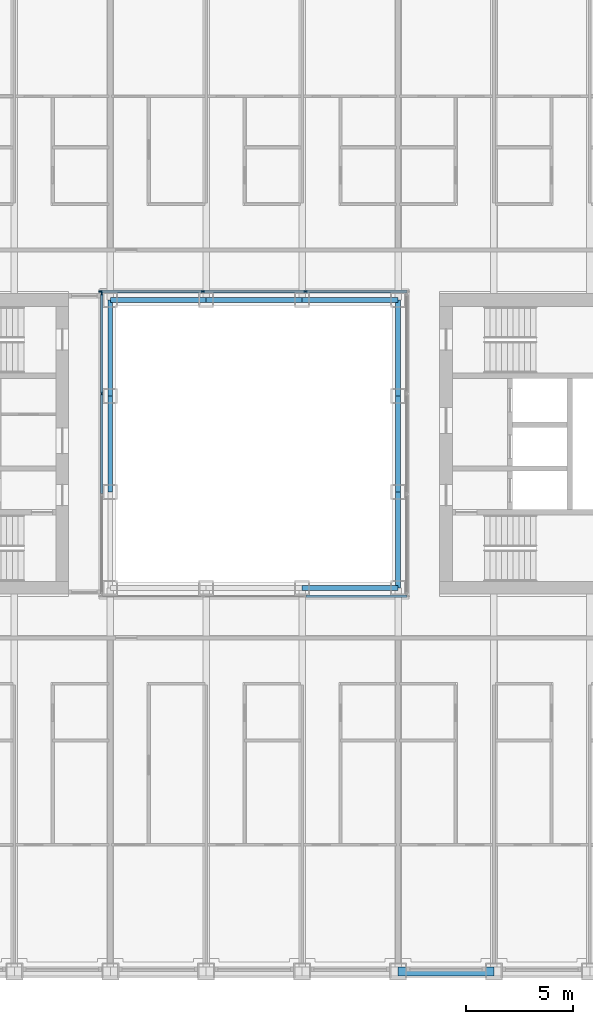
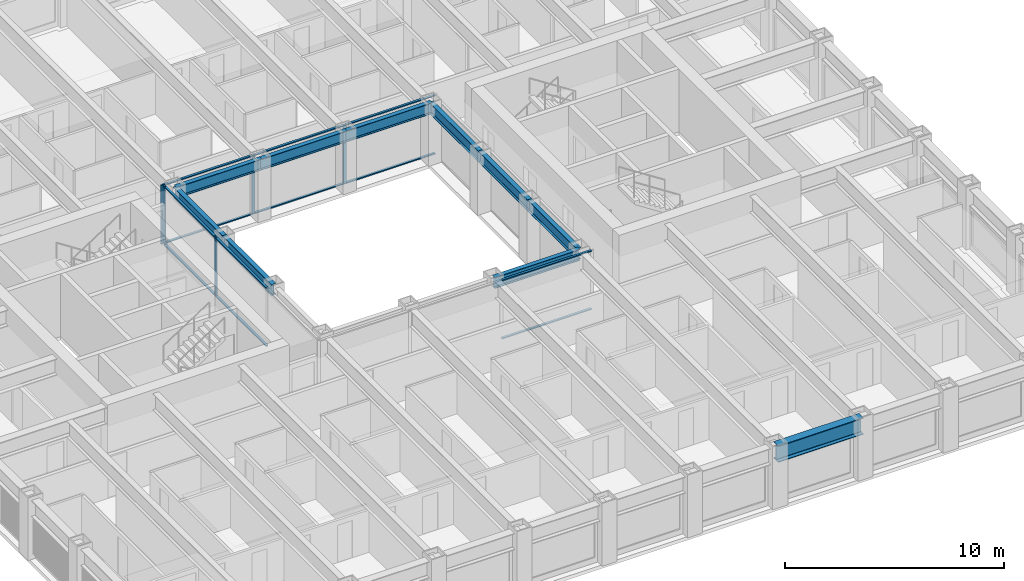
# One storey, part 4 of 21: 17 members, 10 beams, 3 elements without a shape of their own.
"""IFC4 building model written with IfcOpenShell, lengths in metres."""

from ifc_helpers import new_model, si_unit, direction, frame, origin, origin_2d, place, context, subcontext, project, spatial, rectangle, i_section, extrude, material, material_profile, profile_set, type_object, element, aggregate, save


model = new_model("IFC4")

# Units and contexts
model_context = context("Model", 3, precision=1e-05, world=origin(), true_north=direction((0.0, 1.0)))
body_context = subcontext(model_context, "Body", "Model", "MODEL_VIEW")
ifc_project = project(units=[si_unit("LENGTHUNIT", "METRE"), si_unit("AREAUNIT", "SQUARE_METRE"), si_unit("VOLUMEUNIT", "CUBIC_METRE"), si_unit("PLANEANGLEUNIT", "RADIAN"), si_unit("MASSUNIT", "GRAM", prefix="KILO")], contexts=[model_context])

# Site, building, storey
site_placement = place(None, origin())
site = spatial("IfcSite", under=ifc_project, at=site_placement, CompositionType="ELEMENT")
building_placement = place(site_placement, origin())
building = spatial("IfcBuilding", under=site, at=building_placement, Name="Msasa Ring Tower", CompositionType="ELEMENT")
storey_placement = place(building_placement, frame((0.0, 0.0, 89.5)))
storey = spatial("IfcBuildingStorey", under=building, at=storey_placement, Name="L23", CompositionType="ELEMENT", Elevation=89.5)

# Curtain wall, members
ifc_material_1 = material(Name="Aluminium curtain wall with clear glass", Category="aluminium")
curtain_wall_type = type_object("IfcCurtainWallType", Name="CW-W LIGHT WELL CURTAIN WALL", PredefinedType="NOTDEFINED", material=ifc_material_1)
curtain_wall_1_placement = place(storey_placement, origin())
curtain_wall_1 = element("IfcCurtainWall", 1, at=curtain_wall_1_placement, inside=storey, type_object=curtain_wall_type, Name="Light well curtain wall N L23", PredefinedType="NOTDEFINED")
ifc_material_2 = material(Name="Aluminium mullion", Category="aluminium")
ifc_material_profile_1 = material_profile(ifc_material_2, rectangle(XDim=0.06005859375, YDim=0.159912109375, at=origin_2d()), Name="AL 60x160")
ifc_profile_set_1 = profile_set([ifc_material_profile_1], Name="Aluminium mullion")
member_type_1 = type_object("IfcMemberType", Name="CW-W MULLION 60x160", PredefinedType="MULLION", material=ifc_profile_set_1)
member_1_placement = place(storey_placement, frame((-7.199951171875, 7.14990234375, 0.0), z_axis=(0.0, 0.0, 1.0), x_axis=(0.0, 1.0, 0.0)))
member_1 = element("IfcMember", 2, at=member_1_placement, type_object=member_type_1, Name="CW-W mullion 1", PredefinedType="MULLION", context=body_context, shape_type="SweptSolid", body=[
    extrude(rectangle(XDim=0.06005859375, YDim=0.159912109375, at=origin_2d()), origin(), (0.0, 0.0, 1.0), 3.300048828125),
])
member_2_placement = place(storey_placement, frame((-2.409912109375, 7.14990234375, 0.0), z_axis=(0.0, 0.0, 1.0), x_axis=(0.0, 1.0, 0.0)))
member_2 = element("IfcMember", 3, at=member_2_placement, type_object=member_type_1, Name="CW-W mullion 2", PredefinedType="MULLION", context=body_context, shape_type="SweptSolid", body=[
    extrude(rectangle(XDim=0.06005859375, YDim=0.159912109375, at=origin_2d()), origin(), (0.0, 0.0, 1.0), 3.300048828125),
])
member_3_placement = place(storey_placement, frame((2.409912109375, 7.14990234375, 0.0), z_axis=(0.0, 0.0, 1.0), x_axis=(0.0, 1.0, 0.0)))
member_3 = element("IfcMember", 4, at=member_3_placement, type_object=member_type_1, Name="CW-W mullion 3", PredefinedType="MULLION", context=body_context, shape_type="SweptSolid", body=[
    extrude(rectangle(XDim=0.06005859375, YDim=0.159912109375, at=origin_2d()), origin(), (0.0, 0.0, 1.0), 3.300048828125),
])

curtain_wall_2_placement = place(storey_placement, origin())
curtain_wall_2 = element("IfcCurtainWall", 5, at=curtain_wall_2_placement, inside=storey, type_object=curtain_wall_type, Name="Light well curtain wall W L23", PredefinedType="NOTDEFINED")
member_4_placement = place(storey_placement, frame((-7.14990234375, 2.356689453125, 0.0), z_axis=(0.0, 0.0, 1.0), x_axis=(-1.0, 0.0, 0.0)))
member_4 = element("IfcMember", 6, at=member_4_placement, type_object=member_type_1, Name="CW-W mullion 3", PredefinedType="MULLION", context=body_context, shape_type="SweptSolid", body=[
    extrude(rectangle(XDim=0.06005859375, YDim=0.159912109375, at=origin_2d()), origin(), (0.0, 0.0, 1.0), 3.300048828125),
])
member_5_placement = place(storey_placement, frame((-7.14990234375, 7.0400390625, 0.0), z_axis=(0.0, 0.0, 1.0), x_axis=(-1.0, 0.0, 0.0)))
member_5 = element("IfcMember", 7, at=member_5_placement, type_object=member_type_1, Name="CW-W mullion 4", PredefinedType="MULLION", context=body_context, shape_type="SweptSolid", body=[
    extrude(rectangle(XDim=0.06005859375, YDim=0.159912109375, at=origin_2d()), origin(), (0.0, 0.0, 1.0), 3.300048828125),
])

# Member
ifc_material_3 = material(Name="Aluminium transom", Category="aluminium")
ifc_material_profile_2 = material_profile(ifc_material_3, rectangle(XDim=0.1201171875, YDim=0.06005859375, at=origin_2d()), Name="AL 60x120")
ifc_profile_set_2 = profile_set([ifc_material_profile_2], Name="Aluminium transom")
member_type_2 = type_object("IfcMemberType", Name="CW-W TRANSOM 60x120", PredefinedType="USERDEFINED", material=ifc_profile_set_2)
member_6_placement = place(storey_placement, frame((-7.169921875, 7.14990234375, 0.030029296875), z_axis=(1.0, 0.0, 0.0), x_axis=(0.0, 1.0, 0.0)))
member_6 = element("IfcMember", 8, at=member_6_placement, type_object=member_type_2, Name="CW-W transom 1.1", ObjectType="TRANSOM", PredefinedType="USERDEFINED", context=body_context, shape_type="SweptSolid", body=[
    extrude(rectangle(XDim=0.1201171875, YDim=0.06005859375, at=origin_2d()), origin(), (0.0, 0.0, 1.0), 4.72998046875),
])

member_7_placement = place(storey_placement, frame((-7.169921875, 7.14990234375, 3.27001953125), z_axis=(1.0, 0.0, 0.0), x_axis=(0.0, 1.0, 0.0)))
member_7 = element("IfcMember", 9, at=member_7_placement, type_object=member_type_2, Name="CW-W transom 1.2", ObjectType="TRANSOM", PredefinedType="USERDEFINED", context=body_context, shape_type="SweptSolid", body=[
    extrude(rectangle(XDim=0.1201171875, YDim=0.06005859375, at=origin_2d()), origin(), (0.0, 0.0, 1.0), 4.72998046875),
])

member_8_placement = place(storey_placement, frame((-2.3798828125, 7.14990234375, 0.030029296875), z_axis=(1.0, 0.0, 0.0), x_axis=(0.0, 1.0, 0.0)))
member_8 = element("IfcMember", 10, at=member_8_placement, type_object=member_type_2, Name="CW-W transom 2.1", ObjectType="TRANSOM", PredefinedType="USERDEFINED", context=body_context, shape_type="SweptSolid", body=[
    extrude(rectangle(XDim=0.1201171875, YDim=0.06005859375, at=origin_2d()), origin(), (0.0, 0.0, 1.0), 4.759765625),
])

member_9_placement = place(storey_placement, frame((-2.3798828125, 7.14990234375, 3.27001953125), z_axis=(1.0, 0.0, 0.0), x_axis=(0.0, 1.0, 0.0)))
member_9 = element("IfcMember", 11, at=member_9_placement, type_object=member_type_2, Name="CW-W transom 2.2", ObjectType="TRANSOM", PredefinedType="USERDEFINED", context=body_context, shape_type="SweptSolid", body=[
    extrude(rectangle(XDim=0.1201171875, YDim=0.06005859375, at=origin_2d()), origin(), (0.0, 0.0, 1.0), 4.759765625),
])

member_10_placement = place(storey_placement, frame((2.43994140625, 7.14990234375, 0.030029296875), z_axis=(1.0, 0.0, 0.0), x_axis=(0.0, 1.0, 0.0)))
member_10 = element("IfcMember", 12, at=member_10_placement, type_object=member_type_2, Name="CW-W transom 3.1", ObjectType="TRANSOM", PredefinedType="USERDEFINED", context=body_context, shape_type="SweptSolid", body=[
    extrude(rectangle(XDim=0.1201171875, YDim=0.06005859375, at=origin_2d()), origin(), (0.0, 0.0, 1.0), 4.72998046875),
])

member_11_placement = place(storey_placement, frame((2.43994140625, 7.14990234375, 3.27001953125), z_axis=(1.0, 0.0, 0.0), x_axis=(0.0, 1.0, 0.0)))
member_11 = element("IfcMember", 13, at=member_11_placement, type_object=member_type_2, Name="CW-W transom 3.2", ObjectType="TRANSOM", PredefinedType="USERDEFINED", context=body_context, shape_type="SweptSolid", body=[
    extrude(rectangle(XDim=0.1201171875, YDim=0.06005859375, at=origin_2d()), origin(), (0.0, 0.0, 1.0), 4.72998046875),
])

aggregate(curtain_wall_1, [member_1, member_2, member_3, member_6, member_7, member_8, member_9, member_10, member_11])

# Curtain wall, members
curtain_wall_3_placement = place(storey_placement, origin())
curtain_wall_3 = element("IfcCurtainWall", 14, at=curtain_wall_3_placement, inside=storey, type_object=curtain_wall_type, Name="Light well curtain wall S L23", PredefinedType="NOTDEFINED")
member_12_placement = place(storey_placement, frame((2.43994140625, -7.14990234375, 0.030029296875), z_axis=(1.0, 0.0, 0.0), x_axis=(0.0, 1.0, 0.0)))
member_12 = element("IfcMember", 15, at=member_12_placement, type_object=member_type_2, Name="CW-W transom 3.1", ObjectType="TRANSOM", PredefinedType="USERDEFINED", context=body_context, shape_type="SweptSolid", body=[
    extrude(rectangle(XDim=0.1201171875, YDim=0.06005859375, at=origin_2d()), origin(), (0.0, 0.0, 1.0), 4.72998046875),
])
member_13_placement = place(storey_placement, frame((2.43994140625, -7.14990234375, 3.27001953125), z_axis=(1.0, 0.0, 0.0), x_axis=(0.0, 1.0, 0.0)))
member_13 = element("IfcMember", 16, at=member_13_placement, type_object=member_type_2, Name="CW-W transom 3.2", ObjectType="TRANSOM", PredefinedType="USERDEFINED", context=body_context, shape_type="SweptSolid", body=[
    extrude(rectangle(XDim=0.1201171875, YDim=0.06005859375, at=origin_2d()), origin(), (0.0, 0.0, 1.0), 4.72998046875),
])
aggregate(curtain_wall_3, [member_12, member_13])

# Member
member_14_placement = place(storey_placement, frame((-7.14990234375, -2.32666015625, 0.030029296875), z_axis=(0.0, 1.0, 0.0), x_axis=(-1.0, 0.0, 0.0)))
member_14 = element("IfcMember", 17, at=member_14_placement, type_object=member_type_2, Name="CW-W transom 2.1", ObjectType="TRANSOM", PredefinedType="USERDEFINED", context=body_context, shape_type="SweptSolid", body=[
    extrude(rectangle(XDim=0.1201171875, YDim=0.06005859375, at=origin_2d()), origin(), (0.0, 0.0, 1.0), 4.6533203125),
])

member_15_placement = place(storey_placement, frame((-7.14990234375, -2.32666015625, 3.27001953125), z_axis=(0.0, 1.0, 0.0), x_axis=(-1.0, 0.0, 0.0)))
member_15 = element("IfcMember", 18, at=member_15_placement, type_object=member_type_2, Name="CW-W transom 2.2", ObjectType="TRANSOM", PredefinedType="USERDEFINED", context=body_context, shape_type="SweptSolid", body=[
    extrude(rectangle(XDim=0.1201171875, YDim=0.06005859375, at=origin_2d()), origin(), (0.0, 0.0, 1.0), 4.6533203125),
])

member_16_placement = place(storey_placement, frame((-7.14990234375, 2.38671875, 0.030029296875), z_axis=(0.0, 1.0, 0.0), x_axis=(-1.0, 0.0, 0.0)))
member_16 = element("IfcMember", 19, at=member_16_placement, type_object=member_type_2, Name="CW-W transom 3.1", ObjectType="TRANSOM", PredefinedType="USERDEFINED", context=body_context, shape_type="SweptSolid", body=[
    extrude(rectangle(XDim=0.1201171875, YDim=0.06005859375, at=origin_2d()), origin(), (0.0, 0.0, 1.0), 4.623291015625),
])

member_17_placement = place(storey_placement, frame((-7.14990234375, 2.38671875, 3.27001953125), z_axis=(0.0, 1.0, 0.0), x_axis=(-1.0, 0.0, 0.0)))
member_17 = element("IfcMember", 20, at=member_17_placement, type_object=member_type_2, Name="CW-W transom 3.2", ObjectType="TRANSOM", PredefinedType="USERDEFINED", context=body_context, shape_type="SweptSolid", body=[
    extrude(rectangle(XDim=0.1201171875, YDim=0.06005859375, at=origin_2d()), origin(), (0.0, 0.0, 1.0), 4.623291015625),
])

aggregate(curtain_wall_2, [member_4, member_5, member_14, member_15, member_16, member_17])

# Beams
ifc_material_4 = material(Name="Steel S355", Category="steel")
ifc_material_profile_3 = material_profile(ifc_material_4, i_section(OverallWidth=0.230224609375, OverallDepth=0.6171875, WebThickness=0.01318359375, FlangeThickness=0.022216796875, FilletRadius=0.0126953125, at=origin_2d()), Name="UB 610x229x140")
ifc_profile_set_3 = profile_set([ifc_material_profile_3], Name="Steel S355")
beam_type_1 = type_object("IfcBeamType", Name="RB1 UB 610x229x140", PredefinedType="BEAM", material=ifc_profile_set_3)
for number, where, z_axis, x_axis, name in (
    (21, (2.25, -6.75, 2.991455078125), (1.0, 0.0, 0.0), (0.0, 1.0, 0.0), "Inner ring beam IR+2.25-6.75 under L24"),
    (22, (6.75, -6.75, 2.991455078125), (0.0, 1.0, 0.0), (-1.0, 0.0, 0.0), "Inner ring beam IR+6.75-6.75 under L24"),
    (23, (6.75, -2.25, 2.991455078125), (0.0, 1.0, 0.0), (-1.0, 0.0, 0.0), "Inner ring beam IR+6.75-2.25 under L24"),
    (24, (6.75, 2.25, 2.991455078125), (0.0, 1.0, 0.0), (-1.0, 0.0, 0.0), "Inner ring beam IR+6.75+2.25 under L24"),
    (25, (6.75, 6.75, 2.991455078125), (-1.0, 0.0, 0.0), (0.0, -1.0, 0.0), "Inner ring beam IR+6.75+6.75 under L24"),
    (26, (2.25, 6.75, 2.991455078125), (-1.0, 0.0, 0.0), (0.0, -1.0, 0.0), "Inner ring beam IR+2.25+6.75 under L24"),
    (27, (-2.25, 6.75, 2.991455078125), (-1.0, 0.0, 0.0), (0.0, -1.0, 0.0), "Inner ring beam IR-2.25+6.75 under L24"),
    (28, (-6.75, 6.75, 2.991455078125), (0.0, -1.0, 0.0), (1.0, 0.0, 0.0), "Inner ring beam IR-6.75+6.75 under L24"),
    (29, (-6.75, 2.25, 2.991455078125), (0.0, -1.0, 0.0), (1.0, 0.0, 0.0), "Inner ring beam IR-6.75+2.25 under L24"),
):
    element("IfcBeam", number, at=place(storey_placement, frame(where, z_axis=z_axis, x_axis=x_axis)), inside=storey, type_object=beam_type_1, Name=name, PredefinedType="BEAM", context=body_context, shape_type="SweptSolid", body=[
        extrude(i_section(OverallWidth=0.230224609375, OverallDepth=0.6171875, WebThickness=0.01318359375, FlangeThickness=0.022216796875, FilletRadius=0.0126953125, at=origin_2d()), origin(), (0.0, 0.0, 1.0), 4.5),
    ])
ifc_material_5 = material(Name="Steel S355", Category="steel")
ifc_material_profile_4 = material_profile(ifc_material_5, i_section(OverallWidth=0.42041015625, OverallDepth=0.9208984375, WebThickness=0.021484375, FlangeThickness=0.03662109375, FilletRadius=0.024169921875, at=origin_2d()), Name="UB 914x419x388")
ifc_profile_set_4 = profile_set([ifc_material_profile_4], Name="Steel S355")
beam_type_2 = type_object("IfcBeamType", Name="SB1 UB 914x419x388", PredefinedType="SPANDREL", material=ifc_profile_set_4)
beam_placement = place(storey_placement, frame((6.75, -24.75, 2.839599609375), z_axis=(1.0, 0.0, 0.0), x_axis=(0.0, 1.0, 0.0)))
element("IfcBeam", 30, at=beam_placement, inside=storey, type_object=beam_type_2, Name="Spandrel S+6.75 to S+11.25 under L24", PredefinedType="SPANDREL", context=body_context, shape_type="SweptSolid", body=[
    extrude(i_section(OverallWidth=0.42041015625, OverallDepth=0.9208984375, WebThickness=0.021484375, FlangeThickness=0.03662109375, FilletRadius=0.024169921875, at=origin_2d()), origin(), (0.0, 0.0, 1.0), 4.5),
])

save(model, "model.ifc")
